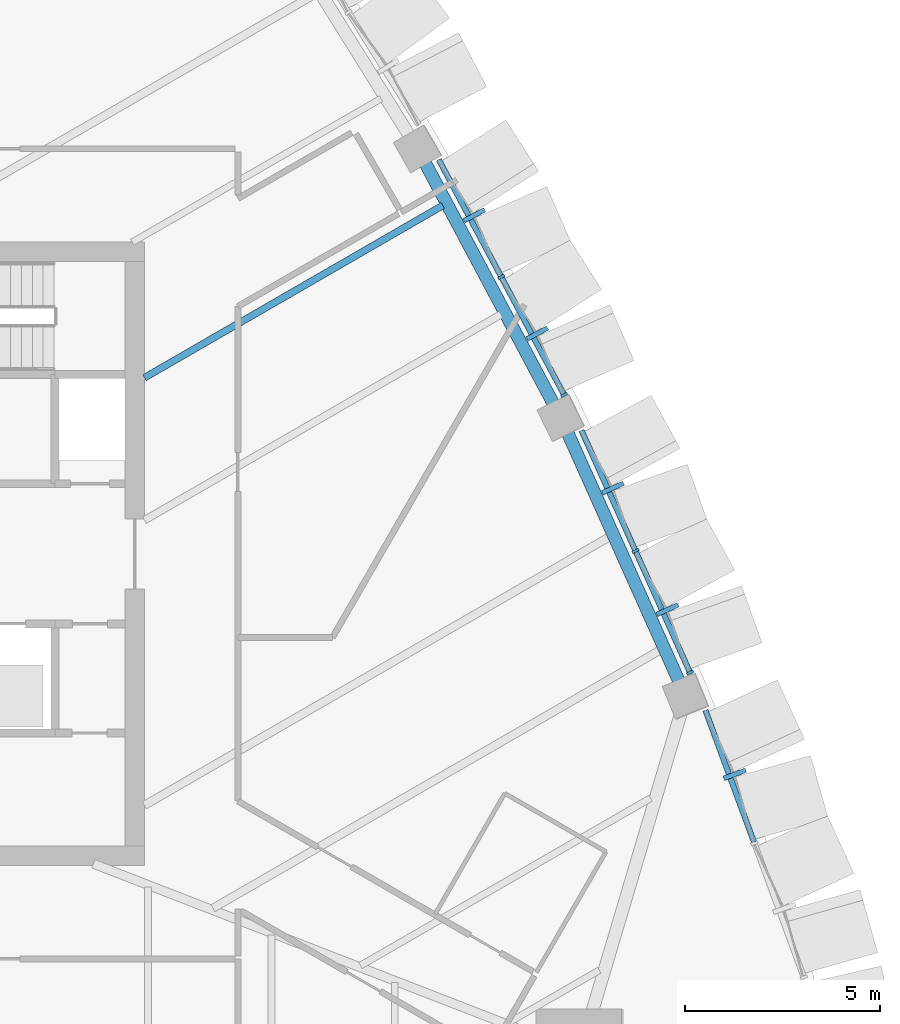
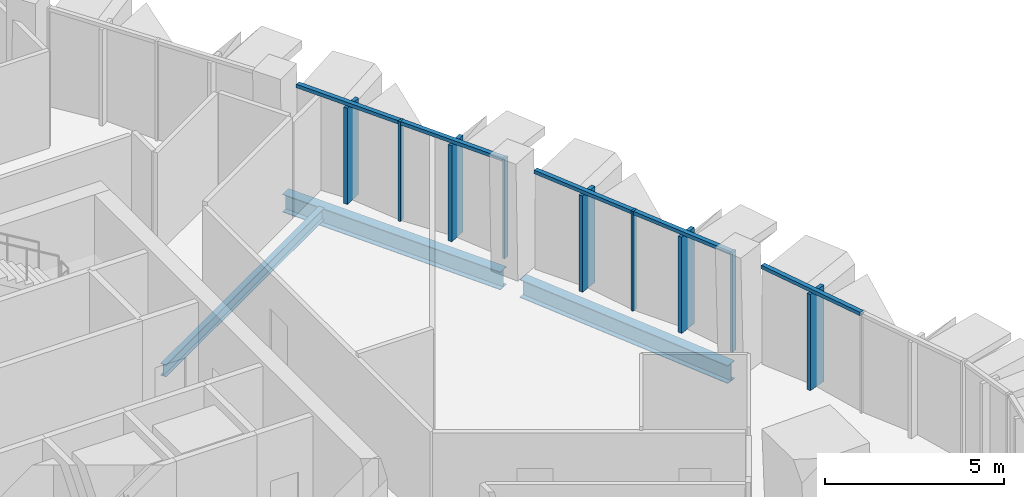
# One storey, part 5 of 19: 14 members, 3 beams, 3 elements without a shape of their own.
"""IFC4 building model written with IfcOpenShell, lengths in metres."""

from ifc_helpers import new_model, si_unit, direction, frame, origin, origin_2d, place, context, subcontext, project, spatial, rectangle, i_section, extrude, material, layer, layer_set, material_profile, profile_set, type_object, element, aggregate, save


model = new_model("IFC4")

# Units and contexts
model_context = context("Model", 3, precision=1e-05, world=origin(), true_north=direction((0.0, 1.0)))
body_context = subcontext(model_context, "Body", "Model", "MODEL_VIEW")
ifc_project = project(units=[si_unit("LENGTHUNIT", "METRE"), si_unit("AREAUNIT", "SQUARE_METRE"), si_unit("VOLUMEUNIT", "CUBIC_METRE"), si_unit("PLANEANGLEUNIT", "RADIAN"), si_unit("MASSUNIT", "GRAM", prefix="KILO")], contexts=[model_context])

# Site, building, storey
site_placement = place(None, origin())
site = spatial("IfcSite", under=ifc_project, at=site_placement, CompositionType="ELEMENT")
building_placement = place(site_placement, origin())
building = spatial("IfcBuilding", under=site, at=building_placement, Name="Sierra Prisma Convention Tower", CompositionType="ELEMENT")
storey_placement = place(building_placement, frame((0.0, 0.0, 235.0)))
storey = spatial("IfcBuildingStorey", under=building, at=storey_placement, Name="L52", CompositionType="ELEMENT", Elevation=235.0)

# Curtain wall, member
ifc_material_1 = material(Name="Aluminium and glass curtain wall", Category="aluminium")
ifc_layer = layer(ifc_material_1, 0.179931640625)
ifc_layer_set = layer_set([ifc_layer], Name="CW-2 Faceted crystal curtain wall")
curtain_wall_type = type_object("IfcCurtainWallType", Name="CW-2 Faceted crystal curtain wall", PredefinedType="NOTDEFINED", material=ifc_layer_set)
curtain_wall_1_placement = place(storey_placement, origin())
curtain_wall_1 = element("IfcCurtainWall", 1, at=curtain_wall_1_placement, inside=storey, type_object=curtain_wall_type, Name="CW-2 NE1 L52", PredefinedType="NOTDEFINED")
ifc_material_2 = material(Name="Aluminium 6063-T6 bronze anodised", Category="aluminium")
ifc_material_profile_1 = material_profile(ifc_material_2, rectangle(XDim=0.1201171875, YDim=0.60009765625, at=origin_2d()), Name="ALU RIDGE BLADE 120x600")
ifc_profile_set_1 = profile_set([ifc_material_profile_1], Name="Aluminium 6063-T6 bronze anodised")
member_type_1 = type_object("IfcMemberType", Name="CW hip bronze", PredefinedType="MULLION", material=ifc_profile_set_1)
member_1_placement = place(storey_placement, frame((26.15673828125, -5.65869140625, 0.0), z_axis=(0.0, 0.0, 1.0), x_axis=(-0.345826135298, 0.938298611394, 0.0)))
member_1 = element("IfcMember", 2, at=member_1_placement, type_object=member_type_1, Name="CW-2 ridge NE1.2", PredefinedType="MULLION", context=body_context, shape_type="SweptSolid", body=[
    extrude(rectangle(XDim=0.1201171875, YDim=0.60009765625, at=origin_2d()), origin(), (0.0, 0.0, 1.0), 3.280029296875),
])

# Curtain wall, members
curtain_wall_2_placement = place(storey_placement, origin())
curtain_wall_2 = element("IfcCurtainWall", 3, at=curtain_wall_2_placement, inside=storey, type_object=curtain_wall_type, Name="CW-2 NE2 L52", PredefinedType="NOTDEFINED")
member_2_placement = place(storey_placement, frame((24.42626953125, -1.43359375, 0.0), z_axis=(0.0, 0.0, 1.0), x_axis=(-0.408957136589, 0.912553593184, 0.0)))
member_2 = element("IfcMember", 4, at=member_2_placement, type_object=member_type_1, Name="CW-2 ridge NE2.1", PredefinedType="MULLION", context=body_context, shape_type="SweptSolid", body=[
    extrude(rectangle(XDim=0.1201171875, YDim=0.60009765625, at=origin_2d()), origin(), (0.0, 0.0, 1.0), 3.280029296875),
])
member_3_placement = place(storey_placement, frame((23.02685546875, 1.68896484375, 0.0), z_axis=(0.0, 0.0, 1.0), x_axis=(-0.408957136589, 0.912553593184, 0.0)))
member_3 = element("IfcMember", 5, at=member_3_placement, type_object=member_type_1, Name="CW-2 ridge NE2.2", PredefinedType="MULLION", context=body_context, shape_type="SweptSolid", body=[
    extrude(rectangle(XDim=0.1201171875, YDim=0.60009765625, at=origin_2d()), origin(), (0.0, 0.0, 1.0), 3.280029296875),
])

curtain_wall_3_placement = place(storey_placement, origin())
curtain_wall_3 = element("IfcCurtainWall", 6, at=curtain_wall_3_placement, inside=storey, type_object=curtain_wall_type, Name="CW-2 NE3 L52", PredefinedType="NOTDEFINED")
member_4_placement = place(storey_placement, frame((21.08349609375, 5.656982421875, 0.0), z_axis=(0.0, 0.0, 1.0), x_axis=(-0.470187170445, 0.88256672538, 0.0)))
member_4 = element("IfcMember", 7, at=member_4_placement, type_object=member_type_1, Name="CW-2 ridge NE3.1", PredefinedType="MULLION", context=body_context, shape_type="SweptSolid", body=[
    extrude(rectangle(XDim=0.1201171875, YDim=0.60009765625, at=origin_2d()), origin(), (0.0, 0.0, 1.0), 3.280029296875),
])
member_5_placement = place(storey_placement, frame((19.467041015625, 8.69091796875, 0.0), z_axis=(0.0, 0.0, 1.0), x_axis=(-0.470187170445, 0.88256672538, 0.0)))
member_5 = element("IfcMember", 8, at=member_5_placement, type_object=member_type_1, Name="CW-2 ridge NE3.2", PredefinedType="MULLION", context=body_context, shape_type="SweptSolid", body=[
    extrude(rectangle(XDim=0.1201171875, YDim=0.60009765625, at=origin_2d()), origin(), (0.0, 0.0, 1.0), 3.280029296875),
])

# Member
ifc_material_3 = material(Name="Aluminium 6063-T6 bronze anodised", Category="aluminium")
ifc_material_profile_2 = material_profile(ifc_material_3, rectangle(XDim=0.179931640625, YDim=0.070068359375, at=origin_2d()), Name="ALU MULLION 70x180")
ifc_profile_set_2 = profile_set([ifc_material_profile_2], Name="Aluminium 6063-T6 bronze anodised")
member_type_2 = type_object("IfcMemberType", Name="CW mullion bronze", PredefinedType="MULLION", material=ifc_profile_set_2)
member_6_placement = place(storey_placement, frame((25.00537109375, -3.048828125, 0.0), z_axis=(0.0, 0.0, 1.0), x_axis=(-0.912553593184, -0.408957136589, 0.0)))
member_6 = element("IfcMember", 9, at=member_6_placement, type_object=member_type_2, Name="CW-1 mullion NE2.1", PredefinedType="MULLION", context=body_context, shape_type="SweptSolid", body=[
    extrude(rectangle(XDim=0.179931640625, YDim=0.070068359375, at=origin_2d()), origin(), (0.0, 0.0, 1.0), 3.39990234375),
])

member_7_placement = place(storey_placement, frame((23.606201171875, 0.07373046875, 0.0), z_axis=(0.0, 0.0, 1.0), x_axis=(-0.912553593184, -0.408957136589, 0.0)))
member_7 = element("IfcMember", 10, at=member_7_placement, type_object=member_type_2, Name="CW-1 mullion NE2.2", PredefinedType="MULLION", context=body_context, shape_type="SweptSolid", body=[
    extrude(rectangle(XDim=0.179931640625, YDim=0.070068359375, at=origin_2d()), origin(), (0.0, 0.0, 1.0), 3.39990234375),
])

member_8_placement = place(storey_placement, frame((21.774658203125, 4.07763671875, 0.0), z_axis=(0.0, 0.0, 1.0), x_axis=(-0.88256672538, -0.470187170445, 0.0)))
member_8 = element("IfcMember", 11, at=member_8_placement, type_object=member_type_2, Name="CW-1 mullion NE3.1", PredefinedType="MULLION", context=body_context, shape_type="SweptSolid", body=[
    extrude(rectangle(XDim=0.179931640625, YDim=0.070068359375, at=origin_2d()), origin(), (0.0, 0.0, 1.0), 3.39990234375),
])

member_9_placement = place(storey_placement, frame((20.158447265625, 7.111572265625, 0.0), z_axis=(0.0, 0.0, 1.0), x_axis=(-0.88256672538, -0.470187170445, 0.0)))
member_9 = element("IfcMember", 12, at=member_9_placement, type_object=member_type_2, Name="CW-1 mullion NE3.2", PredefinedType="MULLION", context=body_context, shape_type="SweptSolid", body=[
    extrude(rectangle(XDim=0.179931640625, YDim=0.070068359375, at=origin_2d()), origin(), (0.0, 0.0, 1.0), 3.39990234375),
])

ifc_material_4 = material(Name="Aluminium 6063-T6 bronze anodised", Category="aluminium")
ifc_material_profile_3 = material_profile(ifc_material_4, rectangle(XDim=0.139892578125, YDim=0.1201171875, at=origin_2d()), Name="ALU TRANSOM 120x140")
ifc_profile_set_3 = profile_set([ifc_material_profile_3], Name="Aluminium 6063-T6 bronze anodised")
member_type_3 = type_object("IfcMemberType", Name="CW transom bronze", PredefinedType="USERDEFINED", material=ifc_profile_set_3)
member_10_placement = place(storey_placement, frame((26.646240234375, -7.39599609375, 3.340087890625), z_axis=(-0.345846825507, 0.938290985402, 0.0), x_axis=(-0.938290985402, -0.345846825507, 0.0)))
member_10 = element("IfcMember", 13, at=member_10_placement, type_object=member_type_3, Name="CW-1 transom NE1.2", ObjectType="TRANSOM", PredefinedType="USERDEFINED", context=body_context, shape_type="SweptSolid", body=[
    extrude(rectangle(XDim=0.139892578125, YDim=0.1201171875, at=origin_2d()), origin(), (0.0, 0.0, 1.0), 3.598876953125),
])

aggregate(curtain_wall_1, [member_10, member_1])

member_11_placement = place(storey_placement, frame((24.9912109375, -3.016845703125, 3.340087890625), z_axis=(-0.408995251469, 0.912536511202, 0.0), x_axis=(-0.912536511202, -0.408995251469, 0.0)))
member_11 = element("IfcMember", 14, at=member_11_placement, type_object=member_type_3, Name="CW-1 transom NE2.1", ObjectType="TRANSOM", PredefinedType="USERDEFINED", context=body_context, shape_type="SweptSolid", body=[
    extrude(rectangle(XDim=0.139892578125, YDim=0.1201171875, at=origin_2d()), origin(), (0.0, 0.0, 1.0), 3.351806640625),
])

member_12_placement = place(storey_placement, frame((23.591796875, 0.105712890625, 3.340087890625), z_axis=(-0.408934593423, 0.912563695477, 0.0), x_axis=(-0.912563695477, -0.408934593423, 0.0)))
member_12 = element("IfcMember", 15, at=member_12_placement, type_object=member_type_3, Name="CW-1 transom NE2.2", ObjectType="TRANSOM", PredefinedType="USERDEFINED", context=body_context, shape_type="SweptSolid", body=[
    extrude(rectangle(XDim=0.139892578125, YDim=0.1201171875, at=origin_2d()), origin(), (0.0, 0.0, 1.0), 3.3515625),
])

aggregate(curtain_wall_2, [member_6, member_7, member_11, member_2, member_12, member_3])

member_13_placement = place(storey_placement, frame((21.75830078125, 4.108642578125, 3.340087890625), z_axis=(-0.47020439223, 0.882557550264, 0.0), x_axis=(-0.882557550264, -0.47020439223, 0.0)))
member_13 = element("IfcMember", 16, at=member_13_placement, type_object=member_type_3, Name="CW-1 transom NE3.1", ObjectType="TRANSOM", PredefinedType="USERDEFINED", context=body_context, shape_type="SweptSolid", body=[
    extrude(rectangle(XDim=0.139892578125, YDim=0.1201171875, at=origin_2d()), origin(), (0.0, 0.0, 1.0), 3.36767578125),
])

member_14_placement = place(storey_placement, frame((20.141845703125, 7.142578125, 3.340087890625), z_axis=(-0.47020439223, 0.882557550264, 0.0), x_axis=(-0.882557550264, -0.47020439223, 0.0)))
member_14 = element("IfcMember", 17, at=member_14_placement, type_object=member_type_3, Name="CW-1 transom NE3.2", ObjectType="TRANSOM", PredefinedType="USERDEFINED", context=body_context, shape_type="SweptSolid", body=[
    extrude(rectangle(XDim=0.139892578125, YDim=0.1201171875, at=origin_2d()), origin(), (0.0, 0.0, 1.0), 3.36767578125),
])

aggregate(curtain_wall_3, [member_8, member_9, member_13, member_4, member_14, member_5])

# Beams
ifc_material_5 = material(Name="Steel ASTM A992 Gr 50", Category="steel")
ifc_material_profile_4 = material_profile(ifc_material_5, i_section(OverallWidth=0.177978515625, OverallDepth=0.406982421875, WebThickness=0.0078125, FlangeThickness=0.0126953125, at=origin_2d()), Name="W410x60")
ifc_profile_set_4 = profile_set([ifc_material_profile_4], Name="Steel ASTM A992 Gr 50")
beam_type_1 = type_object("IfcBeamType", Name="Floor joist W410x60", PredefinedType="JOIST", material=ifc_profile_set_4)
beam_placement = place(storey_placement, frame((18.65869140625, 8.943115234375, -0.353515625), z_axis=(-0.86603111716, -0.499990104013, 0.0), x_axis=(0.499990104013, -0.86603111716, 0.0)))
element("IfcBeam", 18, at=beam_placement, inside=storey, type_object=beam_type_1, Name="Floor joist L52 NE07", PredefinedType="JOIST", context=body_context, shape_type="SweptSolid", body=[
    extrude(i_section(OverallWidth=0.177978515625, OverallDepth=0.406982421875, WebThickness=0.0078125, FlangeThickness=0.0126953125, at=origin_2d()), origin(), (0.0, 0.0, 1.0), 8.843505859375),
])
ifc_material_6 = material(Name="Steel ASTM A992 Gr 50", Category="steel")
ifc_material_profile_5 = material_profile(ifc_material_6, i_section(OverallWidth=0.324951171875, OverallDepth=0.615966796875, WebThickness=0.013916015625, FlangeThickness=0.021484375, at=origin_2d()), Name="W610x174")
ifc_profile_set_5 = profile_set([ifc_material_profile_5], Name="Steel ASTM A992 Gr 50")
beam_type_2 = type_object("IfcBeamType", Name="Spandrel beam W610x174", PredefinedType="BEAM", material=ifc_profile_set_5)
for number, where, z_axis, x_axis, name in (
    (19, (24.7626953125, -3.3623046875, -0.4580078125), (-0.408965995475, 0.912549623059, 0.0), (-0.912549623059, -0.408965995475, 0.0), "Spandrel L52-08"),
    (20, (21.538818359375, 3.7763671875, -0.4580078125), (-0.470167742138, 0.882577075531, 0.0), (-0.882577075531, -0.470167742138, 0.0), "Spandrel L52-09"),
):
    element("IfcBeam", number, at=place(storey_placement, frame(where, z_axis=z_axis, x_axis=x_axis)), inside=storey, type_object=beam_type_2, Name=name, PredefinedType="BEAM", context=body_context, shape_type="SweptSolid", body=[
        extrude(i_section(OverallWidth=0.324951171875, OverallDepth=0.615966796875, WebThickness=0.013916015625, FlangeThickness=0.021484375, at=origin_2d()), origin(), (0.0, 0.0, 1.0), 7.173095703125),
    ])

save(model, "model.ifc")
